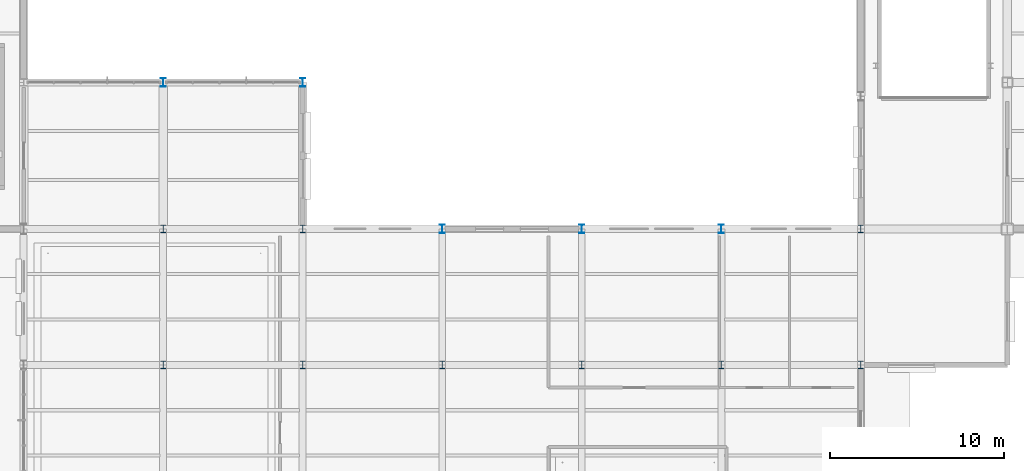
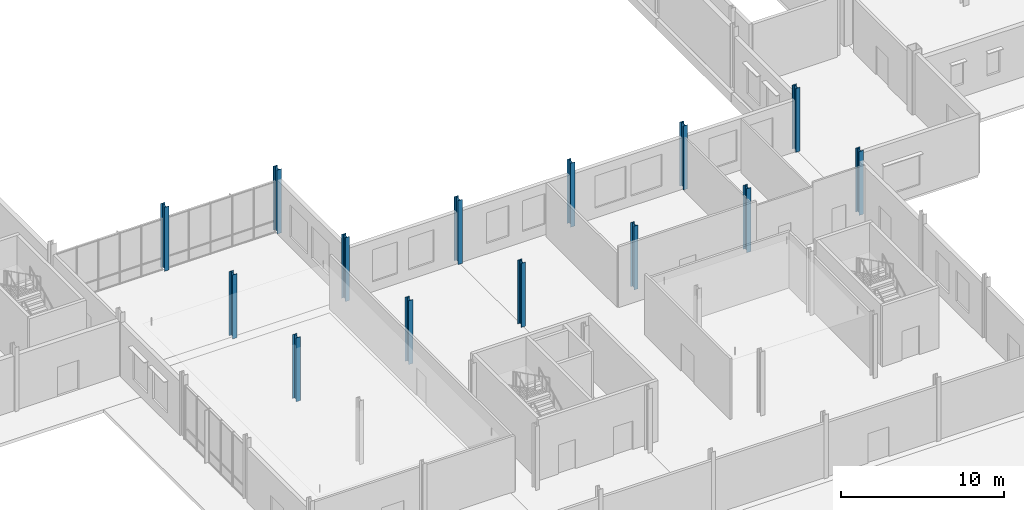
# One storey, part 11 of 82: 14 columns.
"""IFC4 building model written with IfcOpenShell, lengths in metres."""

import ifcopenshell
import ifcopenshell.guid

model = None  # the IFC model being written
_history = None  # IfcOwnerHistory: only IFC2X3 demands one
_inside = {}  # id of a spatial element -> (the spatial element, [elements in it])
_under = {}  # id of a project, library or spatial element -> (it, [spatial elements below it])
_declared = {}  # id of a project -> (the project, [libraries it declares])
_typed = {}  # id of a type object -> (the type object, [elements of that type])
_made_of = {}  # id of a material, layer set ... -> (it, [elements and type objects made of it])


def new_model(schema):
    """Start an empty IFC model of exactly this schema.

    Asked for "IFC4X3", IfcOpenShell would pick the latest addendum, in which some entities
    have other attributes; the version numbers below select the first issue.
    IFC2X3 requires an IfcOwnerHistory on every rooted entity: one is made here for all.
    """
    global model, _history
    if schema == "IFC4X3":
        model = ifcopenshell.file(schema_version=(4, 3, 0, 0))
    else:
        model = ifcopenshell.file(schema=schema)
    _inside.clear()
    _under.clear()
    _declared.clear()
    _typed.clear()
    _made_of.clear()
    _history = None
    if model.schema == "IFC2X3":
        org = make("IfcOrganization", Name="unknown")
        user = make(
            "IfcPersonAndOrganization",
            ThePerson=make("IfcPerson", FamilyName="unknown"),
            TheOrganization=org,
        )
        app = make(
            "IfcApplication",
            ApplicationDeveloper=org,
            Version="unknown",
            ApplicationFullName="unknown",
            ApplicationIdentifier="unknown",
        )
        _history = make(
            "IfcOwnerHistory",
            OwningUser=user,
            OwningApplication=app,
            ChangeAction="ADDED",
            CreationDate=0,
        )
    return model


def make(cls, **values):
    """One entity of the class cls with the attributes given. An attribute that is None is left unset."""
    return model.create_entity(
        cls, **{name: value for name, value in values.items() if value is not None}
    )


def rooted(cls, **values):
    """An entity with a GlobalId (a new one), such as an element, a storey or a relation."""
    return make(cls, GlobalId=ifcopenshell.guid.new(), OwnerHistory=_history, **values)


def si_unit(unit_type, name, prefix=None):
    """IfcSIUnit, for example si_unit("LENGTHUNIT", "METRE", prefix="MILLI")."""
    return make("IfcSIUnit", UnitType=unit_type, Prefix=prefix, Name=name)


def assignment(units):
    """IfcUnitAssignment: the units of a project."""
    return None if units is None else make("IfcUnitAssignment", Units=units)


def point(xyz):
    """IfcCartesianPoint."""
    return None if xyz is None else make("IfcCartesianPoint", Coordinates=xyz)


def direction(xyz):
    """IfcDirection."""
    return None if xyz is None else make("IfcDirection", DirectionRatios=xyz)


def frame(location, z_axis=None, x_axis=None):
    """IfcAxis2Placement3D, a coordinate frame: its origin and axes. An axis left out is left unset."""
    return make(
        "IfcAxis2Placement3D",
        Location=point(location),
        Axis=direction(z_axis),
        RefDirection=direction(x_axis),
    )


def frame_2d(location, x_axis=None):
    """IfcAxis2Placement2D, a coordinate frame in the plane: its origin and x axis."""
    return make(
        "IfcAxis2Placement2D", Location=point(location), RefDirection=direction(x_axis)
    )


def origin():
    """The frame at (0, 0, 0) with its axes left unset."""
    return frame((0.0, 0.0, 0.0))


def origin_2d():
    """The frame at (0, 0) in the plane with its x axis left unset."""
    return frame_2d((0.0, 0.0))


def place(relative_to, where):
    """IfcLocalPlacement: puts the frame where relative to a parent placement (None: the world)."""
    return make(
        "IfcLocalPlacement", PlacementRelTo=relative_to, RelativePlacement=where
    )


def context(
    kind, dimensions, precision=None, world=None, true_north=None, identifier=None
):
    """IfcGeometricRepresentationContext, for example the 3D "Model" context."""
    return make(
        "IfcGeometricRepresentationContext",
        ContextIdentifier=identifier,
        ContextType=kind,
        CoordinateSpaceDimension=dimensions,
        Precision=precision,
        WorldCoordinateSystem=world,
        TrueNorth=true_north,
    )


def subcontext(parent, identifier, kind, view, scale=None):
    """IfcGeometricRepresentationSubContext, for example "Body" below "Model"."""
    return make(
        "IfcGeometricRepresentationSubContext",
        ContextIdentifier=identifier,
        ContextType=kind,
        ParentContext=parent,
        TargetScale=scale,
        TargetView=view,
    )


def project(units=None, contexts=None):
    """IfcProject with its units and contexts."""
    return rooted(
        "IfcProject",
        Name="project",
        RepresentationContexts=contexts,
        UnitsInContext=assignment(units),
    )


def spatial(cls, under=None, at=None, **own):
    """A site, building, storey or space (cls), placed at a placement, below another one or the project."""
    s = rooted(cls, ObjectPlacement=at, **own)
    if under is not None:
        _under.setdefault(under.id(), (under, []))[1].append(s)
    return s


def profile(cls, at=None, kind="AREA", **sizes):
    """A parametric profile (cls). Its sizes go by their IFC names, for example OverallWidth=200.0."""
    return make(cls, ProfileType=kind, Position=at, **sizes)


def i_section(**sizes):
    """IfcIShapeProfileDef."""
    return profile("IfcIShapeProfileDef", **sizes)


def extrude(swept, where, along, depth):
    """IfcExtrudedAreaSolid: the profile swept, set in the frame where, extruded along a direction by depth."""
    return make(
        "IfcExtrudedAreaSolid",
        SweptArea=swept,
        Position=where,
        ExtrudedDirection=direction(along),
        Depth=depth,
    )


def shape(context_of_items, identifier, shape_type, items):
    """IfcShapeRepresentation: the items that make up one representation, for example the "Body"."""
    return make(
        "IfcShapeRepresentation",
        ContextOfItems=context_of_items,
        RepresentationIdentifier=identifier,
        RepresentationType=shape_type,
        Items=items,
    )


def material(Name=None, Category=None):
    """IfcMaterial."""
    return make("IfcMaterial", Name=Name, Category=Category)


def material_profile(
    of_material, cross_section, Name=None, Category=None, Priority=None
):
    """IfcMaterialProfile: a cross section and its material."""
    return make(
        "IfcMaterialProfile",
        Name=Name,
        Material=of_material,
        Profile=cross_section,
        Priority=Priority,
        Category=Category,
    )


def profile_set(profiles, Name=None, composite=None):
    """IfcMaterialProfileSet."""
    return make(
        "IfcMaterialProfileSet",
        Name=Name,
        MaterialProfiles=profiles,
        CompositeProfile=composite,
    )


def made_of(thing, what):
    """Note that an element or type object is made of a material, layer set ...; save() writes the relation."""
    if what is not None:
        _made_of.setdefault(what.id(), (what, []))[1].append(thing)
    return thing


def type_object(cls, material=None, **own):
    """A type object (cls), such as IfcWallType, which elements share."""
    return made_of(rooted(cls, **own), material)


def element(
    cls,
    number,
    at=None,
    inside=None,
    cuts=None,
    type_object=None,
    material=None,
    context=None,
    identifier="Body",
    shape_type=None,
    held_by="IfcProductDefinitionShape",
    body=None,
    shapes=None,
    **own,
):
    """One element of the class cls, such as IfcWall. Its Tag is "e" and its number.

    at: its placement. inside: the storey or other place that contains it. cuts: it is an
    opening in that element (IfcRelVoidsElement). A single representation is given by context,
    identifier, shape_type and body (its items); several are given by shapes. held_by: the class
    of the entity that holds the representations. save() writes the other relations.
    """
    e = rooted(cls, Tag="e%d" % number, ObjectPlacement=at, **own)
    if body is not None:
        shapes = [shape(context, identifier, shape_type, body)]
    if shapes is not None:
        e.Representation = make(held_by, Representations=shapes)
    if inside is not None:
        _inside.setdefault(inside.id(), (inside, []))[1].append(e)
    if cuts is not None:
        rooted(
            "IfcRelVoidsElement", RelatingBuildingElement=cuts, RelatedOpeningElement=e
        )
    if type_object is not None:
        _typed.setdefault(type_object.id(), (type_object, []))[1].append(e)
    return made_of(e, material)


def aggregate(whole, parts):
    """IfcRelAggregates: a whole, such as a stair, and the parts it consists of."""
    return rooted("IfcRelAggregates", RelatingObject=whole, RelatedObjects=parts)


def save(model, path):
    """Write the relations noted so far, then the file.

    IfcRelAggregates (storeys below a building ...), IfcRelContainedInSpatialStructure (elements
    in a storey), IfcRelDefinesByType, IfcRelAssociatesMaterial and IfcRelDeclares: one each for
    every whole, place, type object, material and project.
    """
    for whole, parts in _under.values():
        aggregate(whole, parts)
    for where, things in _inside.values():
        rooted(
            "IfcRelContainedInSpatialStructure",
            RelatedElements=things,
            RelatingStructure=where,
        )
    for kind, things in _typed.values():
        rooted("IfcRelDefinesByType", RelatedObjects=things, RelatingType=kind)
    for what, things in _made_of.values():
        rooted("IfcRelAssociatesMaterial", RelatedObjects=things, RelatingMaterial=what)
    for by, libraries in _declared.values():
        rooted("IfcRelDeclares", RelatingContext=by, RelatedDefinitions=libraries)
    model.write(path)


model = new_model("IFC4")

# Units and contexts
model_context = context("Model", 3, precision=1e-05, world=origin(), true_north=direction((0.0, 1.0)))
body_context = subcontext(model_context, "Body", "Model", "MODEL_VIEW")
ifc_project = project(units=[si_unit("LENGTHUNIT", "METRE"), si_unit("AREAUNIT", "SQUARE_METRE"), si_unit("VOLUMEUNIT", "CUBIC_METRE"), si_unit("PLANEANGLEUNIT", "RADIAN"), si_unit("MASSUNIT", "GRAM", prefix="KILO")], contexts=[model_context])

# Site, building, storey
site_placement = place(None, origin())
site = spatial("IfcSite", under=ifc_project, at=site_placement, CompositionType="ELEMENT")
building_placement = place(site_placement, origin())
building = spatial("IfcBuilding", under=site, at=building_placement, Name="Yukiwa Park Conservatory and Herbarium", CompositionType="ELEMENT")
storey_placement = place(building_placement, origin())
storey = spatial("IfcBuildingStorey", under=building, at=storey_placement, Name="L00", CompositionType="ELEMENT", Elevation=0.0)

# Columns
ifc_material_1 = material(Name="Steel Q355D", Category="steel")
ifc_material_profile_1 = material_profile(ifc_material_1, i_section(OverallWidth=0.300048828125, OverallDepth=0.43994140625, WebThickness=0.010986328125, FlangeThickness=0.01806640625, FilletRadius=0.02392578125, at=origin_2d()), Name="HM 440x300x11x18")
ifc_profile_set_1 = profile_set([ifc_material_profile_1], Name="Steel Q355D")
column_type_1 = type_object("IfcColumnType", Name="COL-VS-HM440", PredefinedType="COLUMN", material=ifc_profile_set_1)
for number, where, z_axis, x_axis, name in (
    (1, (68.0, 70.199951171875, 0.0), (0.0, 0.0, 1.0), (1.0, 0.0, 0.0), "L00 column V3-X680-Y702"),
    (2, (68.0, 78.0, 0.0), (0.0, 0.0, 1.0), (1.0, 0.0, 0.0), "L00 column V3-X680-Y780"),
    (3, (76.0, 70.199951171875, 0.0), (0.0, 0.0, 1.0), (1.0, 0.0, 0.0), "L00 column V3-X760-Y702"),
    (4, (76.0, 78.0, 0.0), (0.0, 0.0, 1.0), (1.0, 0.0, 0.0), "L00 column V3-X760-Y780"),
    (5, (84.0, 70.199951171875, 0.0), (0.0, 0.0, 1.0), (1.0, 0.0, 0.0), "L00 column V3-X840-Y702"),
    (6, (92.0, 70.199951171875, 0.0), (0.0, 0.0, 1.0), (1.0, 0.0, 0.0), "L00 column V3-X920-Y702"),
    (7, (100.0, 70.199951171875, 0.0), (0.0, 0.0, 1.0), (1.0, 0.0, 0.0), "L00 column V3-X1000-Y702"),
    (8, (108.0, 70.199951171875, 0.0), (0.0, 0.0, 1.0), (1.0, 0.0, 0.0), "L00 column V3-X1080-Y702"),
    (9, (108.0, 78.0, 0.0), (0.0, 0.0, 1.0), (1.0, 0.0, 0.0), "L00 column V3-X1080-Y780"),
):
    element("IfcColumn", number, at=place(storey_placement, frame(where, z_axis=z_axis, x_axis=x_axis)), inside=storey, type_object=column_type_1, Name=name, PredefinedType="COLUMN", context=body_context, shape_type="SweptSolid", body=[
        extrude(i_section(OverallWidth=0.300048828125, OverallDepth=0.43994140625, WebThickness=0.010986328125, FlangeThickness=0.01806640625, FilletRadius=0.02392578125, at=origin_2d()), origin(), (0.0, 0.0, 1.0), 4.800048828125),
    ])
ifc_material_2 = material(Name="Steel Q355D", Category="steel")
ifc_material_profile_2 = material_profile(ifc_material_2, i_section(OverallWidth=0.300048828125, OverallDepth=0.488037109375, WebThickness=0.010986328125, FlangeThickness=0.01806640625, FilletRadius=0.02392578125, at=origin_2d()), Name="HM 488x300x11x18")
ifc_profile_set_2 = profile_set([ifc_material_profile_2], Name="Steel Q355D")
column_type_2 = type_object("IfcColumnType", Name="COL-VS-HM488-EXT", PredefinedType="COLUMN", material=ifc_profile_set_2)
for number, where, z_axis, x_axis, name in (
    (10, (68.0, 86.39990234375, 0.0), (0.0, 0.0, 1.0), (1.0, 0.0, 0.0), "L00 column LNKAV-X680-Y864"),
    (11, (76.0, 86.39990234375, 0.0), (0.0, 0.0, 1.0), (1.0, 0.0, 0.0), "L00 column LNKAV-X760-Y864"),
    (12, (84.0, 78.0, 0.0), (0.0, 0.0, 1.0), (1.0, 0.0, 0.0), "L00 column V3-X840-Y780"),
    (13, (92.0, 78.0, 0.0), (0.0, 0.0, 1.0), (1.0, 0.0, 0.0), "L00 column V3-X920-Y780"),
    (14, (100.0, 78.0, 0.0), (0.0, 0.0, 1.0), (1.0, 0.0, 0.0), "L00 column V3-X1000-Y780"),
):
    element("IfcColumn", number, at=place(storey_placement, frame(where, z_axis=z_axis, x_axis=x_axis)), inside=storey, type_object=column_type_2, Name=name, PredefinedType="COLUMN", context=body_context, shape_type="SweptSolid", body=[
        extrude(i_section(OverallWidth=0.300048828125, OverallDepth=0.488037109375, WebThickness=0.010986328125, FlangeThickness=0.01806640625, FilletRadius=0.02392578125, at=origin_2d()), origin(), (0.0, 0.0, 1.0), 4.800048828125),
    ])

save(model, "model.ifc")
